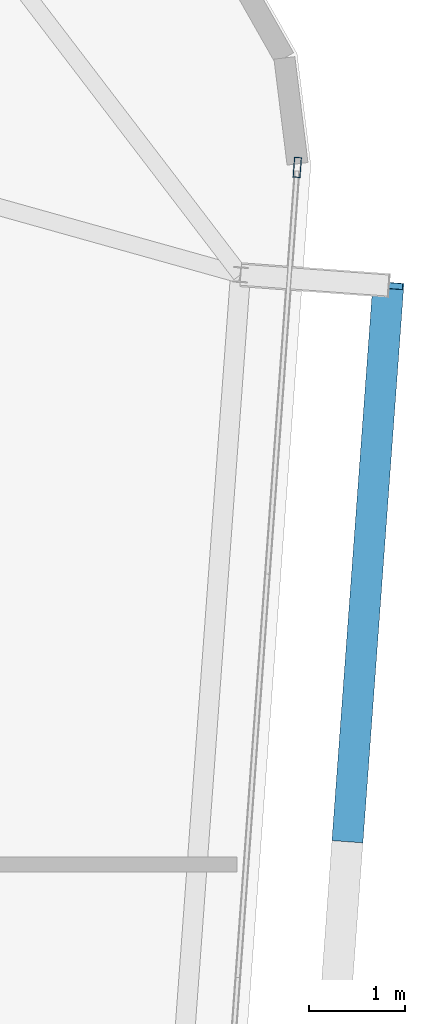
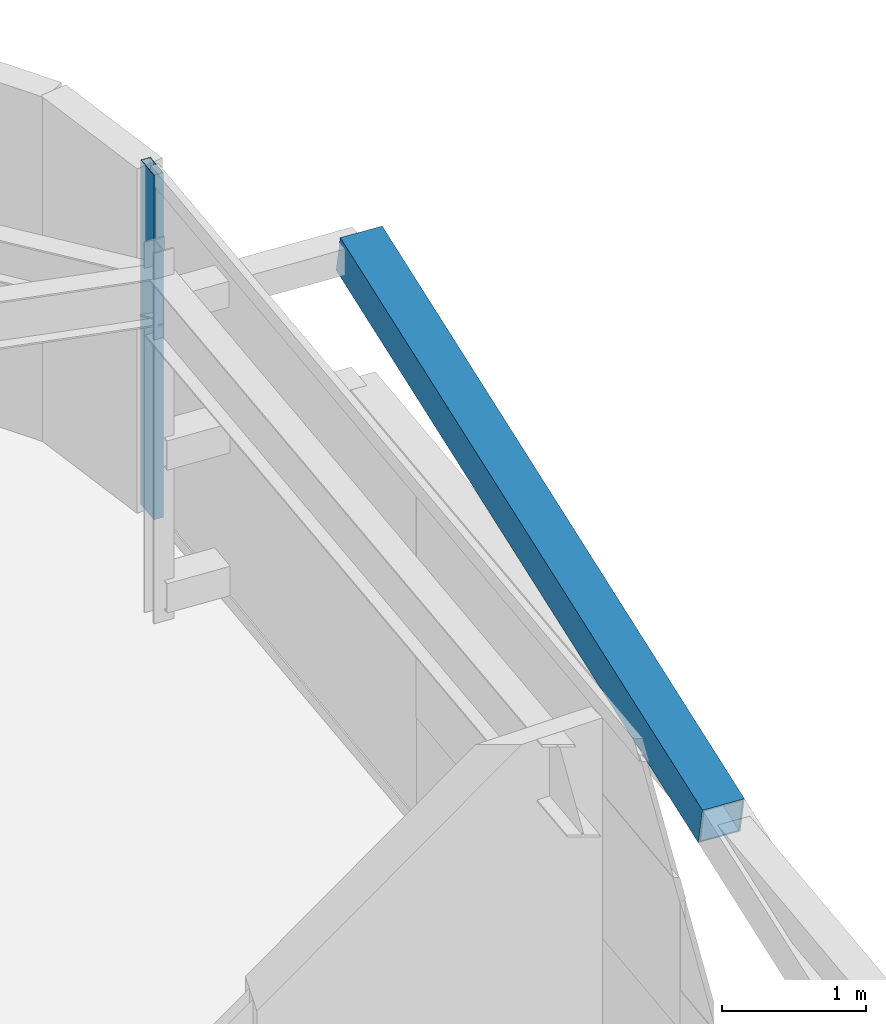
# One storey, part 20 of 36: 2 members, 1 element without a shape of its own.
"""IFC4 building model written with IfcOpenShell, lengths in metres."""

from ifc_helpers import new_model, si_unit, direction, frame, origin, origin_2d, place, context, subcontext, project, spatial, hollow_rectangle, extrude, source, transform, mapped, material, layer, layer_set, material_profile, profile_set, type_object, element, aggregate, save


model = new_model("IFC4")

# Units and contexts
model_context = context("Model", 3, precision=1e-05, world=origin(), true_north=direction((0.0, 1.0)))
body_context = subcontext(model_context, "Body", "Model", "MODEL_VIEW")
ifc_project = project(units=[si_unit("LENGTHUNIT", "METRE"), si_unit("AREAUNIT", "SQUARE_METRE"), si_unit("VOLUMEUNIT", "CUBIC_METRE"), si_unit("PLANEANGLEUNIT", "RADIAN"), si_unit("MASSUNIT", "GRAM", prefix="KILO")], contexts=[model_context])

# Site, building, storey
site_placement = place(None, origin())
site = spatial("IfcSite", under=ifc_project, at=site_placement, CompositionType="ELEMENT")
building_placement = place(site_placement, origin())
building = spatial("IfcBuilding", under=site, at=building_placement, Name="Taldren Reach Tower", CompositionType="ELEMENT")
storey_placement = place(building_placement, frame((0.0, 0.0, 227.14990234375)))
storey = spatial("IfcBuildingStorey", under=building, at=storey_placement, Name="L69", CompositionType="ELEMENT", Elevation=227.14990234375)

# Member
ifc_material_1 = material(Name="Steel Gr 450 (C450L0)", Category="steel")
ifc_material_profile_1 = material_profile(ifc_material_1, hollow_rectangle(XDim=0.324951171875, YDim=0.324951171875, WallThickness=0.0126953125, at=origin_2d()), Name="325x325x12.7SHS")
ifc_profile_set_1 = profile_set([ifc_material_profile_1], Name="Steel Gr 450 (C450L0)")
member_type_1 = type_object("IfcMemberType", Name="MB-BR324", PredefinedType="BRACE", material=ifc_profile_set_1)
shared_shape_1 = source(origin(), body_context, "Body", "SweptSolid", [
    extrude(hollow_rectangle(XDim=0.324951171875, YDim=0.324951171875, WallThickness=0.0126953125, at=origin_2d()), origin(), (0.0, 0.0, 1.0), 5.926025390625),
])
member_1_placement = place(storey_placement, frame((58.661865234375, 24.270751953125, 1.43505859375), z_axis=(0.071685935393, 0.976123486939, 0.205046494513), x_axis=(-0.997314185625, 0.073242167855, 0.0)))
element("IfcMember", 1, at=member_1_placement, inside=storey, type_object=member_type_1, Name="Exoskeleton Diagrid Brace B5-E2 L69", PredefinedType="BRACE", context=body_context, shape_type="MappedRepresentation", body=[
    mapped(shared_shape_1, transform((0.0, 0.0, 0.0), scale=1.0)),
])

# Curtain wall, member
ifc_material_2 = material(Name="Aluminium and Low-E Glass Unitised System", Category="aluminium")
ifc_layer = layer(ifc_material_2, 0.159912109375)
ifc_layer_set = layer_set([ifc_layer], Name="Aluminium and Low-E Glass Unitised System")
curtain_wall_type = type_object("IfcCurtainWallType", Name="CW-SYS-7", PredefinedType="NOTDEFINED", material=ifc_layer_set)
curtain_wall_placement = place(storey_placement, origin())
curtain_wall = element("IfcCurtainWall", 2, at=curtain_wall_placement, inside=storey, type_object=curtain_wall_type, Name="Unitised curtain wall CW-L69-E", PredefinedType="NOTDEFINED")
ifc_material_3 = material(Name="Anodised Aluminium 6063-T6", Category="aluminium")
ifc_material_profile_2 = material_profile(ifc_material_3, hollow_rectangle(XDim=0.074951171875, YDim=0.2099609375, WallThickness=0.00439453125, at=origin_2d()), Name="ALU-210x75x4.5RHS")
ifc_profile_set_2 = profile_set([ifc_material_profile_2], Name="Anodised Aluminium 6063-T6")
member_type_2 = type_object("IfcMemberType", Name="CW-MUL-200", PredefinedType="MULLION", material=ifc_profile_set_2)
shared_shape_2 = source(origin(), body_context, "Body", "SweptSolid", [
    extrude(hollow_rectangle(XDim=0.074951171875, YDim=0.2099609375, WallThickness=0.00439453125, at=origin_2d()), origin(), (0.0, 0.0, 1.0), 2.93017578125),
])
member_2_placement = place(storey_placement, frame((58.134765625, 31.29052734375, 0.0), z_axis=(0.0, 0.0, 1.0), x_axis=(-0.997314470951, 0.073238282558, 0.0)))
member_2 = element("IfcMember", 3, at=member_2_placement, type_object=member_type_2, Name="CW-7 mullion 3", PredefinedType="MULLION", context=body_context, shape_type="MappedRepresentation", body=[
    mapped(shared_shape_2, transform((0.0, 0.0, 0.0), scale=1.0)),
])
aggregate(curtain_wall, [member_2])

save(model, "model.ifc")
